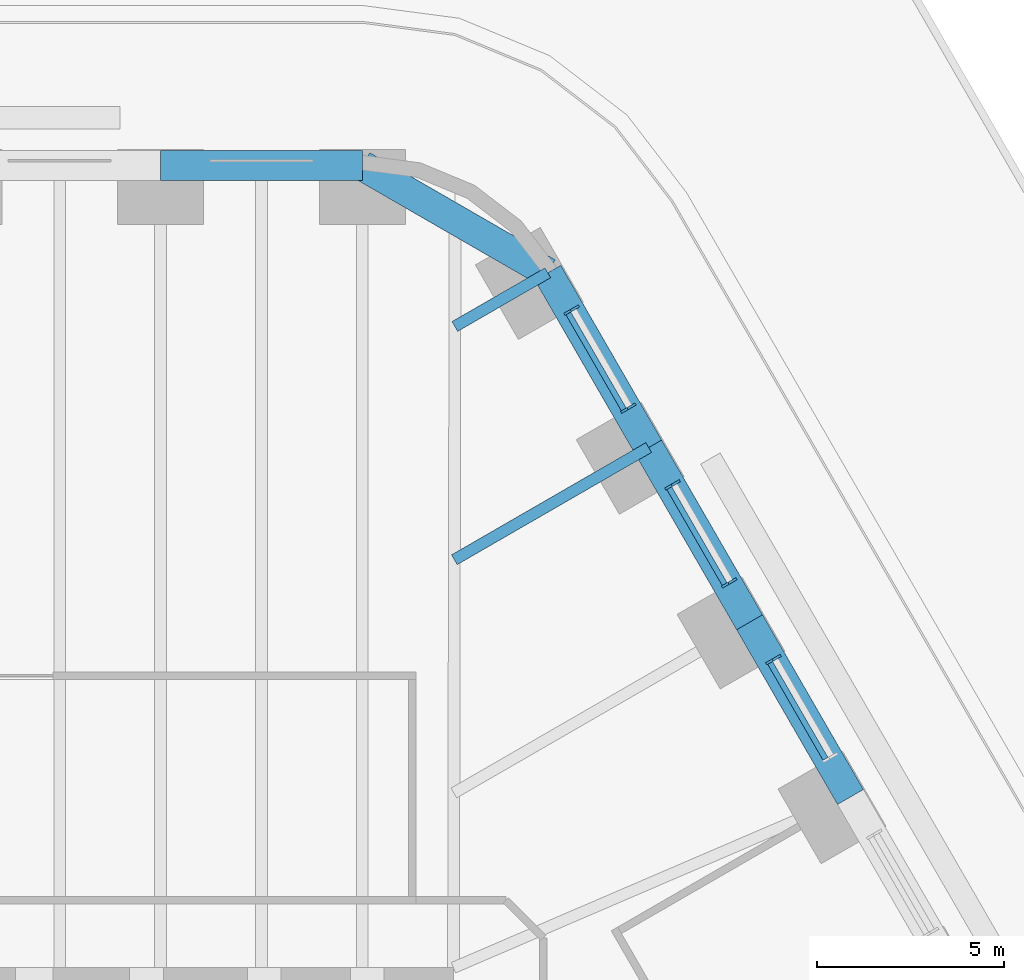
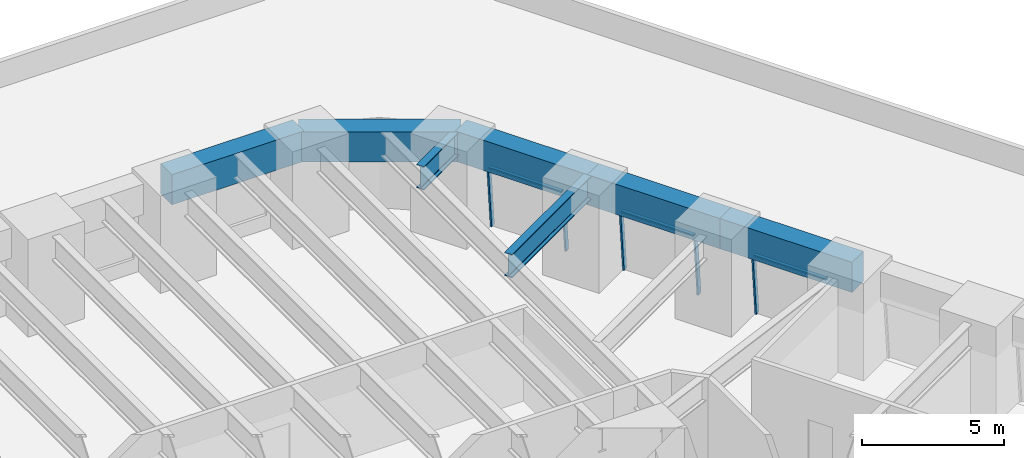
# One storey, part 6 of 17: 8 members, 7 beams, 3 elements without a shape of their own.
"""IFC4 building model written with IfcOpenShell, lengths in metres."""

from ifc_helpers import new_model, si_unit, direction, frame, origin, origin_2d, place, context, subcontext, project, spatial, rectangle, i_section, extrude, material, material_profile, profile_set, type_object, element, aggregate, save


model = new_model("IFC4")

# Units and contexts
model_context = context("Model", 3, precision=1e-05, world=origin(), true_north=direction((0.0, 1.0)))
body_context = subcontext(model_context, "Body", "Model", "MODEL_VIEW")
ifc_project = project(units=[si_unit("LENGTHUNIT", "METRE"), si_unit("AREAUNIT", "SQUARE_METRE"), si_unit("VOLUMEUNIT", "CUBIC_METRE"), si_unit("PLANEANGLEUNIT", "RADIAN"), si_unit("MASSUNIT", "GRAM", prefix="KILO")], contexts=[model_context])

# Site, building, storey
site_placement = place(None, origin())
site = spatial("IfcSite", under=ifc_project, at=site_placement, CompositionType="ELEMENT")
building_placement = place(site_placement, origin())
building = spatial("IfcBuilding", under=site, at=building_placement, Name="Tarfa Lantern Tower", CompositionType="ELEMENT")
storey_placement = place(building_placement, frame((0.0, 0.0, 23.5)))
storey = spatial("IfcBuildingStorey", under=building, at=storey_placement, Name="L04", CompositionType="ELEMENT", Elevation=23.5)

# Curtain wall, member
ifc_material_1 = material(Name="Aluminium framed curtain wall", Category="aluminium")
curtain_wall_type = type_object("IfcCurtainWallType", Name="CW1 CANTED GLAZING LOW ZONE 2700", PredefinedType="USERDEFINED", material=ifc_material_1)
curtain_wall_1_placement = place(storey_placement, origin())
curtain_wall_1 = element("IfcCurtainWall", 1, at=curtain_wall_1_placement, inside=storey, type_object=curtain_wall_type, Name="CW1 NE L04", ObjectType="CURTAIN WALL", PredefinedType="USERDEFINED")
ifc_material_2 = material(Name="Aluminium mullion", Category="aluminium")
ifc_material_profile_1 = material_profile(ifc_material_2, rectangle(XDim=0.06494140625, YDim=0.199951171875, at=origin_2d()), Name="AL MULLION 65x200")
ifc_profile_set_1 = profile_set([ifc_material_profile_1], Name="Aluminium mullion")
member_type_1 = type_object("IfcMemberType", Name="CWM1 MULLION 65x200", PredefinedType="MULLION", material=ifc_profile_set_1)
member_1_placement = place(storey_placement, frame((27.255126953125, 20.592529296875, 0.0), z_axis=(-0.079774955866, -0.04610020023, 0.995746317068), x_axis=(0.500342721131, -0.865827443207, 0.0)))
member_1 = element("IfcMember", 2, at=member_1_placement, type_object=member_type_1, Name="CW1 mullion 2", PredefinedType="MULLION", context=body_context, shape_type="SweptSolid", body=[
    extrude(rectangle(XDim=0.06494140625, YDim=0.199951171875, at=origin_2d()), origin(), (0.0, 0.0, 1.0), 2.71142578125),
])

# Curtain wall, members
curtain_wall_2_placement = place(storey_placement, origin())
curtain_wall_2 = element("IfcCurtainWall", 3, at=curtain_wall_2_placement, inside=storey, type_object=curtain_wall_type, Name="CW1 NE L04", ObjectType="CURTAIN WALL", PredefinedType="USERDEFINED")
member_2_placement = place(storey_placement, frame((26.07275390625, 22.640625, 0.0), z_axis=(-0.07986442134, -0.046099868913, 0.99573916077), x_axis=(0.499919672301, -0.866071776036, 0.0)))
member_2 = element("IfcMember", 4, at=member_2_placement, type_object=member_type_1, Name="CW1 mullion 1", PredefinedType="MULLION", context=body_context, shape_type="SweptSolid", body=[
    extrude(rectangle(XDim=0.06494140625, YDim=0.199951171875, at=origin_2d()), origin(), (0.0, 0.0, 1.0), 2.71142578125),
])
member_3_placement = place(storey_placement, frame((24.560791015625, 25.25927734375, 0.0), z_axis=(-0.079774955866, -0.04610020023, 0.995746317068), x_axis=(0.500342721131, -0.865827443207, 0.0)))
member_3 = element("IfcMember", 5, at=member_3_placement, type_object=member_type_1, Name="CW1 mullion 2", PredefinedType="MULLION", context=body_context, shape_type="SweptSolid", body=[
    extrude(rectangle(XDim=0.06494140625, YDim=0.199951171875, at=origin_2d()), origin(), (0.0, 0.0, 1.0), 2.71142578125),
])

curtain_wall_3_placement = place(storey_placement, origin())
curtain_wall_3 = element("IfcCurtainWall", 6, at=curtain_wall_3_placement, inside=storey, type_object=curtain_wall_type, Name="CW1 NE L04", ObjectType="CURTAIN WALL", PredefinedType="USERDEFINED")
member_4_placement = place(storey_placement, frame((23.37841796875, 27.307373046875, 0.0), z_axis=(-0.07986442134, -0.046099868913, 0.99573916077), x_axis=(0.499919672301, -0.866071776036, 0.0)))
member_4 = element("IfcMember", 7, at=member_4_placement, type_object=member_type_1, Name="CW1 mullion 1", PredefinedType="MULLION", context=body_context, shape_type="SweptSolid", body=[
    extrude(rectangle(XDim=0.06494140625, YDim=0.199951171875, at=origin_2d()), origin(), (0.0, 0.0, 1.0), 2.71142578125),
])
member_5_placement = place(storey_placement, frame((21.86669921875, 29.926025390625, 0.0), z_axis=(-0.07986442134, -0.046099868913, 0.99573916077), x_axis=(0.499919672301, -0.866071776036, 0.0)))
member_5 = element("IfcMember", 8, at=member_5_placement, type_object=member_type_1, Name="CW1 mullion 2", PredefinedType="MULLION", context=body_context, shape_type="SweptSolid", body=[
    extrude(rectangle(XDim=0.06494140625, YDim=0.199951171875, at=origin_2d()), origin(), (0.0, 0.0, 1.0), 2.71142578125),
])

# Member
ifc_material_3 = material(Name="Aluminium transom", Category="aluminium")
ifc_material_profile_2 = material_profile(ifc_material_3, rectangle(XDim=0.14990234375, YDim=0.06494140625, at=origin_2d()), Name="AL TRANSOM 150x65")
ifc_profile_set_2 = profile_set([ifc_material_profile_2], Name="Aluminium transom")
member_type_2 = type_object("IfcMemberType", Name="CWT1 TRANSOM 150x65", PredefinedType="USERDEFINED", material=ifc_profile_set_2)
member_6_placement = place(storey_placement, frame((28.536865234375, 17.878662109375, 2.66748046875), z_axis=(-0.499981985492, 0.866035804215, 0.0), x_axis=(-0.866035804215, -0.499981985492, 0.0)))
member_6 = element("IfcMember", 9, at=member_6_placement, type_object=member_type_2, Name="CW1 transom 1.2", ObjectType="TRANSOM", PredefinedType="USERDEFINED", context=body_context, shape_type="SweptSolid", body=[
    extrude(rectangle(XDim=0.14990234375, YDim=0.06494140625, at=origin_2d()), origin(), (0.0, 0.0, 1.0), 2.95849609375),
])

aggregate(curtain_wall_1, [member_1, member_6])

member_7_placement = place(storey_placement, frame((25.842529296875, 22.54541015625, 2.66748046875), z_axis=(-0.499981985492, 0.866035804215, 0.0), x_axis=(-0.866035804215, -0.499981985492, 0.0)))
member_7 = element("IfcMember", 10, at=member_7_placement, type_object=member_type_2, Name="CW1 transom 1.2", ObjectType="TRANSOM", PredefinedType="USERDEFINED", context=body_context, shape_type="SweptSolid", body=[
    extrude(rectangle(XDim=0.14990234375, YDim=0.06494140625, at=origin_2d()), origin(), (0.0, 0.0, 1.0), 2.95849609375),
])

aggregate(curtain_wall_2, [member_2, member_3, member_7])

member_8_placement = place(storey_placement, frame((23.148193359375, 27.212158203125, 2.66748046875), z_axis=(-0.500017718492, 0.866015173767, 0.0), x_axis=(-0.866015173767, -0.500017718492, 0.0)))
member_8 = element("IfcMember", 11, at=member_8_placement, type_object=member_type_2, Name="CW1 transom 1.2", ObjectType="TRANSOM", PredefinedType="USERDEFINED", context=body_context, shape_type="SweptSolid", body=[
    extrude(rectangle(XDim=0.14990234375, YDim=0.06494140625, at=origin_2d()), origin(), (0.0, 0.0, 1.0), 2.95849609375),
])

aggregate(curtain_wall_3, [member_4, member_5, member_8])

# Beams
ifc_material_4 = material(Name="Concrete C80/95", Category="concrete")
ifc_material_profile_3 = material_profile(ifc_material_4, rectangle(XDim=0.800048828125, YDim=1.300048828125, at=origin_2d()), Name="RC 800x1300")
ifc_profile_set_3 = profile_set([ifc_material_profile_3], Name="Concrete C80/95")
beam_type_1 = type_object("IfcBeamType", Name="EB1 RC 800x1300", PredefinedType="SPANDREL", material=ifc_profile_set_3)
beam_1_placement = place(storey_placement, frame((29.202392578125, 16.860107421875, 3.35009765625), z_axis=(-0.500017906299, 0.866015065331, 0.0), x_axis=(-0.866015065331, -0.500017906299, 0.0)))
element("IfcBeam", 12, at=beam_1_placement, inside=storey, type_object=beam_type_1, Name="Edge beam NE3", PredefinedType="SPANDREL", context=body_context, shape_type="SweptSolid", body=[
    extrude(rectangle(XDim=0.800048828125, YDim=1.300048828125, at=origin_2d()), origin(), (0.0, 0.0, 1.0), 5.388427734375),
])
for number, where, z_axis, x_axis, name in (
    (13, (26.508056640625, 21.526611328125, 3.35009765625), (-0.499998287579, 0.866026392449, 0.0), (-0.866026392449, -0.499998287579, 0.0), "Edge beam NE4"),
    (14, (23.813720703125, 26.193359375, 3.35009765625), (-0.499998287579, 0.866026392449, 0.0), (-0.866026392449, -0.499998287579, 0.0), "Edge beam NE5"),
):
    element("IfcBeam", number, at=place(storey_placement, frame(where, z_axis=z_axis, x_axis=x_axis)), inside=storey, type_object=beam_type_1, Name=name, PredefinedType="SPANDREL", context=body_context, shape_type="SweptSolid", body=[
        extrude(rectangle(XDim=0.800048828125, YDim=1.300048828125, at=origin_2d()), origin(), (0.0, 0.0, 1.0), 5.388671875),
    ])
beam_2_placement = place(storey_placement, frame((21.119384765625, 30.860107421875, 3.35009765625), z_axis=(-0.866033479681, 0.499986011877, 0.0), x_axis=(-0.499986011877, -0.866033479681, 0.0)))
element("IfcBeam", 15, at=beam_2_placement, inside=storey, type_object=beam_type_1, Name="Edge beam NE6", PredefinedType="SPANDREL", context=body_context, shape_type="SweptSolid", body=[
    extrude(rectangle(XDim=0.800048828125, YDim=1.300048828125, at=origin_2d()), origin(), (0.0, 0.0, 1.0), 5.719970703125),
])
beam_3_placement = place(storey_placement, frame((16.165771484375, 33.719970703125, 3.35009765625), z_axis=(-1.0, 0.0, 0.0), x_axis=(0.0, -1.0, 0.0)))
element("IfcBeam", 16, at=beam_3_placement, inside=storey, type_object=beam_type_1, Name="Edge beam N0", PredefinedType="SPANDREL", context=body_context, shape_type="SweptSolid", body=[
    extrude(rectangle(XDim=0.800048828125, YDim=1.300048828125, at=origin_2d()), origin(), (0.0, 0.0, 1.0), 5.388671875),
])
ifc_material_5 = material(Name="Steel S460M", Category="steel")
ifc_material_profile_4 = material_profile(ifc_material_5, i_section(OverallWidth=0.302001953125, OverallDepth=1.008056640625, WebThickness=0.02099609375, FlangeThickness=0.0400390625, FilletRadius=0.030029296875, at=origin_2d()), Name="UB1016x305x349")
ifc_profile_set_4 = profile_set([ifc_material_profile_4], Name="Steel S460M")
beam_type_2 = type_object("IfcBeamType", Name="UB1016x305x349", PredefinedType="BEAM", material=ifc_profile_set_4)
beam_4_placement = place(storey_placement, frame((23.813720703125, 26.193359375, 3.495849609375), z_axis=(-0.866015997389, -0.500016292001, 0.0), x_axis=(0.500016292001, -0.866015997389, 0.0)))
element("IfcBeam", 17, at=beam_4_placement, inside=storey, type_object=beam_type_2, Name="Floor beam NE5", PredefinedType="BEAM", context=body_context, shape_type="SweptSolid", body=[
    extrude(i_section(OverallWidth=0.302001953125, OverallDepth=1.008056640625, WebThickness=0.02099609375, FlangeThickness=0.0400390625, FilletRadius=0.030029296875, at=origin_2d()), origin(), (0.0, 0.0, 1.0), 5.993408203125),
])
beam_5_placement = place(storey_placement, frame((21.119384765625, 30.860107421875, 3.495849609375), z_axis=(-0.866012580594, -0.500022209759, 0.0), x_axis=(0.500022209759, -0.866012580594, 0.0)))
element("IfcBeam", 18, at=beam_5_placement, inside=storey, type_object=beam_type_2, Name="Floor beam NE6", PredefinedType="BEAM", context=body_context, shape_type="SweptSolid", body=[
    extrude(i_section(OverallWidth=0.302001953125, OverallDepth=1.008056640625, WebThickness=0.02099609375, FlangeThickness=0.0400390625, FilletRadius=0.030029296875, at=origin_2d()), origin(), (0.0, 0.0, 1.0), 2.866943359375),
])

save(model, "model.ifc")
